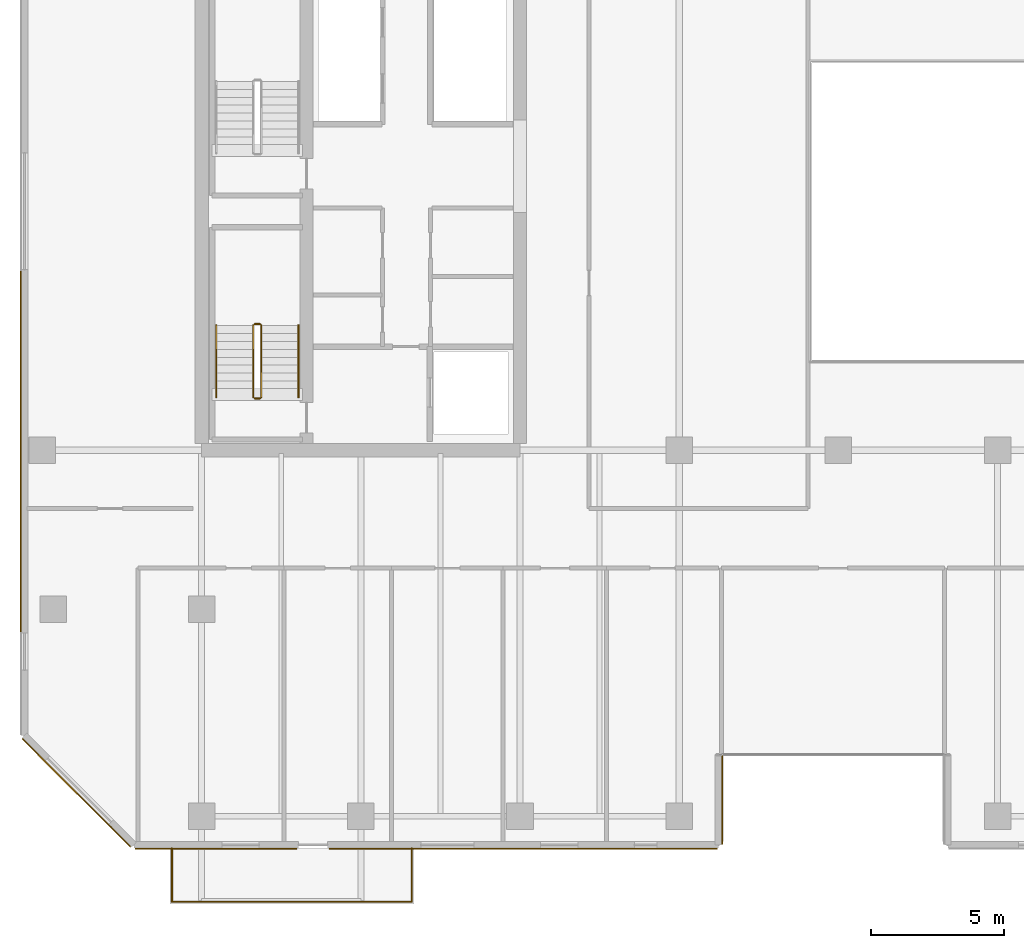
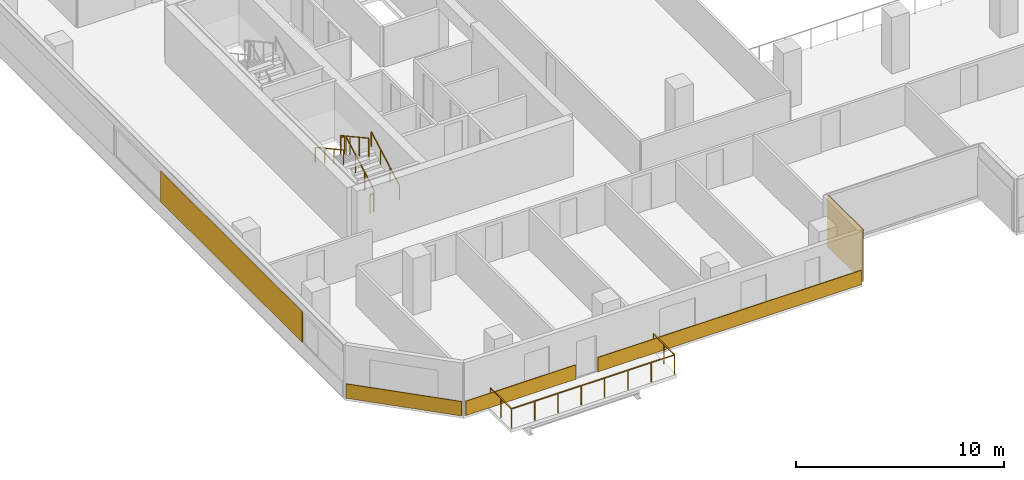
# One storey, part 18 of 23: 7 railings, 5 coverings.
"""IFC4 building model written with IfcOpenShell, lengths in metres."""

from ifc_helpers import new_model, si_unit, direction, frame, origin, origin_2d, place, context, subcontext, project, spatial, rectangle, extrude, material, layer, layer_set, type_object, element, save


model = new_model("IFC4")

# Units and contexts
model_context = context("Model", 3, precision=1e-05, world=origin(), true_north=direction((0.0, 1.0)))
body_context = subcontext(model_context, "Body", "Model", "MODEL_VIEW")
ifc_project = project(units=[si_unit("LENGTHUNIT", "METRE"), si_unit("AREAUNIT", "SQUARE_METRE"), si_unit("VOLUMEUNIT", "CUBIC_METRE"), si_unit("PLANEANGLEUNIT", "RADIAN"), si_unit("MASSUNIT", "GRAM", prefix="KILO")], contexts=[model_context])

# Site, building, storey
site_placement = place(None, origin())
site = spatial("IfcSite", under=ifc_project, at=site_placement, CompositionType="ELEMENT")
building_placement = place(site_placement, origin())
building = spatial("IfcBuilding", under=site, at=building_placement, Name="Tanjung Sevakor Pilgrim Tower", CompositionType="ELEMENT")
storey_placement = place(building_placement, frame((0.0, 0.0, 98.669921875)))
storey = spatial("IfcBuildingStorey", under=building, at=storey_placement, Name="L27", CompositionType="ELEMENT", Elevation=98.669921875)

# Coverings
ifc_material_1 = material(Name="Reconstructed Limestone Cladding", Category="masonry")
ifc_layer = layer(ifc_material_1, 0.044921875)
ifc_layer_set = layer_set([ifc_layer], Name="COV-CLAD-LIMESTONE")
covering_type = type_object("IfcCoveringType", Name="COV-CLAD-LIMESTONE", PredefinedType="CLADDING", material=ifc_layer_set)
covering_1_placement = place(storey_placement, frame((24.541015625, 9.577392578125, 0.01025390625), z_axis=(0.0, 0.0, 1.0), x_axis=(1.0, 0.0, 0.0)))
element("IfcCovering", 1, at=covering_1_placement, inside=storey, type_object=covering_type, Name="L27 Warm Limestone Sill Spandrel EW-L27-MAIN-1-1", PredefinedType="CLADDING", context=body_context, shape_type="SweptSolid", body=[
    extrude(rectangle(XDim=6.09814453125, YDim=0.044921875, at=origin_2d()), origin(), (0.0, 0.0, 1.0), 0.840087890625),
])
covering_2_placement = place(storey_placement, frame((36.12255859375, 9.577392578125, 0.01025390625), z_axis=(0.0, 0.0, 1.0), x_axis=(1.0, 0.0, 0.0)))
element("IfcCovering", 2, at=covering_2_placement, inside=storey, type_object=covering_type, Name="L27 Warm Limestone Sill Spandrel EW-L27-MAIN-1-2", PredefinedType="CLADDING", context=body_context, shape_type="SweptSolid", body=[
    extrude(rectangle(XDim=14.625, YDim=0.044921875, at=origin_2d()), origin(), (0.0, 0.0, 1.0), 0.840087890625),
])
covering_3_placement = place(storey_placement, frame((43.62255859375, 11.425048828125, 0.02001953125), z_axis=(0.0, 0.0, 1.0), x_axis=(0.0, 1.0, 0.0)))
element("IfcCovering", 3, at=covering_3_placement, inside=storey, type_object=covering_type, Name="L27 Warm Limestone Wall Cladding EW-L27-MAIN-2", PredefinedType="CLADDING", context=body_context, shape_type="SweptSolid", body=[
    extrude(rectangle(XDim=3.360107421875, YDim=0.044921875, at=origin_2d()), origin(), (0.0, 0.0, 1.0), 3.0400390625),
])
covering_4_placement = place(storey_placement, frame((17.177490234375, 24.552978515625, 0.85009765625), z_axis=(0.0, 0.0, 1.0), x_axis=(0.0, -1.0, 0.0)))
element("IfcCovering", 4, at=covering_4_placement, inside=storey, type_object=covering_type, Name="L27 Warm Limestone Pier Panel EW-L27-MAIN-15-2", PredefinedType="CLADDING", context=body_context, shape_type="SweptSolid", body=[
    extrude(rectangle(XDim=13.593994140625, YDim=0.044921875, at=origin_2d()), origin(), (0.0, 0.0, 1.0), 1.81005859375),
])
covering_5_placement = place(storey_placement, frame((19.2841796875, 11.68408203125, 0.01025390625), z_axis=(0.0, 0.0, 1.0), x_axis=(0.707106781187, -0.707106781187, 0.0)))
element("IfcCovering", 5, at=covering_5_placement, inside=storey, type_object=covering_type, Name="L27 Warm Limestone Sill Spandrel EW-CHM-L27-MAIN-15-1", PredefinedType="CLADDING", context=body_context, shape_type="SweptSolid", body=[
    extrude(rectangle(XDim=5.756103515625, YDim=0.044921875, at=origin_2d()), origin(), (0.0, 0.0, 1.0), 0.840087890625),
])

# Railings
ifc_material_2 = material(Name="Laminated Glass and Aluminium", Category="aluminium")
railing_type_1 = type_object("IfcRailingType", Name="RL-BAL-BALUST", PredefinedType="BALUSTRADE", material=ifc_material_2)
railing_1_placement = place(storey_placement, frame((22.8798828125, 9.60009765625, 0.0)))
element("IfcRailing", 6, at=railing_1_placement, inside=storey, type_object=railing_type_1, Name="L27 Loggia Balustrade MAIN-S1", PredefinedType="BALUSTRADE", context=body_context, shape_type="SweptSolid", body=[
    extrude(rectangle(XDim=0.0479, YDim=0.0479), frame((0.0, 0.0, 1.1259765625), z_axis=(0.0, -1.0, 0.0), x_axis=(1.0, 0.0, 0.0)), (0.0, 0.0, 1.0), 2.02001953125),
    extrude(rectangle(XDim=0.0479, YDim=0.0479), frame((0.0, -2.02001953125, 1.1259765625), z_axis=(1.0, 0.0, 0.0), x_axis=(0.0, 1.0, 0.0)), (0.0, 0.0, 1.0), 9.0400390625),
    extrude(rectangle(XDim=0.0479, YDim=0.0479), frame((9.0400390625, -2.02001953125, 1.1259765625), z_axis=(0.0, 1.0, 0.0), x_axis=(-1.0, 0.0, 0.0)), (0.0, 0.0, 1.0), 2.02001953125),
    extrude(rectangle(XDim=0.042, YDim=0.042), origin(), (0.0, 0.0, 1.0), 1.101806640625),
    extrude(rectangle(XDim=0.042, YDim=0.042), frame((0.0, -1.010009765625, 0.0)), (0.0, 0.0, 1.0), 1.101806640625),
    extrude(rectangle(XDim=0.042, YDim=0.042), frame((0.0, -2.02001953125, 0.0)), (0.0, 0.0, 1.0), 1.101806640625),
    extrude(rectangle(XDim=0.042, YDim=0.042), frame((1.29150390625, -2.02001953125, 0.0)), (0.0, 0.0, 1.0), 1.101806640625),
    extrude(rectangle(XDim=0.042, YDim=0.042), frame((2.582763671875, -2.02001953125, 0.0)), (0.0, 0.0, 1.0), 1.101806640625),
    extrude(rectangle(XDim=0.042, YDim=0.042), frame((3.874267578125, -2.02001953125, 0.0)), (0.0, 0.0, 1.0), 1.101806640625),
    extrude(rectangle(XDim=0.042, YDim=0.042), frame((5.165771484375, -2.02001953125, 0.0)), (0.0, 0.0, 1.0), 1.101806640625),
    extrude(rectangle(XDim=0.042, YDim=0.042), frame((6.457275390625, -2.02001953125, 0.0)), (0.0, 0.0, 1.0), 1.101806640625),
    extrude(rectangle(XDim=0.042, YDim=0.042), frame((7.74853515625, -2.02001953125, 0.0)), (0.0, 0.0, 1.0), 1.101806640625),
    extrude(rectangle(XDim=0.042, YDim=0.042), frame((9.0400390625, -2.02001953125, 0.0)), (0.0, 0.0, 1.0), 1.101806640625),
    extrude(rectangle(XDim=0.042, YDim=0.042), frame((9.0400390625, -1.010009765625, 0.0)), (0.0, 0.0, 1.0), 1.101806640625),
    extrude(rectangle(XDim=0.042, YDim=0.042), frame((9.0400390625, 0.0, 0.0)), (0.0, 0.0, 1.0), 1.101806640625),
])
ifc_material_3 = material(Name="Steel S355J2", Category="steel")
railing_type_2 = type_object("IfcRailingType", Name="RL-STAIR-GUARD", PredefinedType="GUARDRAIL", material=ifc_material_3)
railing_2_placement = place(storey_placement, frame((26.25, 26.60009765625, 0.1650390625)))
element("IfcRailing", 7, at=railing_2_placement, inside=storey, type_object=railing_type_2, Name="L27 TS-W1 stair guard 1", PredefinedType="GUARDRAIL", context=body_context, shape_type="SweptSolid", body=[
    extrude(rectangle(XDim=0.0479, YDim=0.0479), frame((0.0, 0.0, 1.076171875), z_axis=(0.0, 0.876197507361, 0.481952205197), x_axis=(-1.0, 0.0, 0.0)), (0.0, 0.0, 1.0), 3.08154296875),
    extrude(rectangle(XDim=0.042, YDim=0.042), origin(), (0.0, 0.0, 1.0), 1.052001953125),
    extrude(rectangle(XDim=0.042, YDim=0.042), frame((0.0, 0.89990234375, 0.4951171875)), (0.0, 0.0, 1.0), 1.052001953125),
    extrude(rectangle(XDim=0.042, YDim=0.042), frame((0.0, 1.800048828125, 0.989990234375)), (0.0, 0.0, 1.0), 1.052001953125),
    extrude(rectangle(XDim=0.042, YDim=0.042), frame((0.0, 2.699951171875, 1.485107421875)), (0.0, 0.0, 1.0), 1.052001953125),
])
railing_3_placement = place(storey_placement, frame((26.199951171875, 29.35009765625, 1.650146484375)))
element("IfcRailing", 8, at=railing_3_placement, inside=storey, type_object=railing_type_2, Name="L27 TS-W1 stair guard 2", PredefinedType="GUARDRAIL", context=body_context, shape_type="SweptSolid", body=[
    extrude(rectangle(XDim=0.0479, YDim=0.0479), frame((0.0, 0.0, 1.076171875), z_axis=(-1.0, 0.0, 0.0), x_axis=(0.0, -1.0, 0.0)), (0.0, 0.0, 1.0), 0.199951171875),
    extrude(rectangle(XDim=0.042, YDim=0.042), origin(), (0.0, 0.0, 1.0), 1.052001953125),
    extrude(rectangle(XDim=0.042, YDim=0.042), frame((-0.199951171875, 0.0, 0.0)), (0.0, 0.0, 1.0), 1.052001953125),
])
railing_4_placement = place(storey_placement, frame((25.949951171875, 29.300048828125, 1.815185546875)))
element("IfcRailing", 9, at=railing_4_placement, inside=storey, type_object=railing_type_2, Name="L27 TS-W1 stair guard 3", PredefinedType="GUARDRAIL", context=body_context, shape_type="SweptSolid", body=[
    extrude(rectangle(XDim=0.0479, YDim=0.0479), frame((0.0, 0.0, 1.076171875), z_axis=(0.0, -0.876230963923, 0.481891375584), x_axis=(1.0, 0.0, 0.0)), (0.0, 0.0, 1.0), 3.081298828125),
    extrude(rectangle(XDim=0.042, YDim=0.042), origin(), (0.0, 0.0, 1.0), 1.052001953125),
    extrude(rectangle(XDim=0.042, YDim=0.042), frame((0.0, -0.89990234375, 0.494873046875)), (0.0, 0.0, 1.0), 1.052001953125),
    extrude(rectangle(XDim=0.042, YDim=0.042), frame((0.0, -1.800048828125, 0.989990234375)), (0.0, 0.0, 1.0), 1.052001953125),
    extrude(rectangle(XDim=0.042, YDim=0.042), frame((0.0, -2.699951171875, 1.48486328125)), (0.0, 0.0, 1.0), 1.052001953125),
])
railing_5_placement = place(storey_placement, frame((26.199951171875, 26.550048828125, 0.0)))
element("IfcRailing", 10, at=railing_5_placement, inside=storey, type_object=railing_type_2, Name="L27 TS-W1 stair guard 4", PredefinedType="GUARDRAIL", context=body_context, shape_type="SweptSolid", body=[
    extrude(rectangle(XDim=0.0479, YDim=0.0479), frame((0.0, 0.0, 1.076171875), z_axis=(-1.0, 0.0, 0.0), x_axis=(0.0, -1.0, 0.0)), (0.0, 0.0, 1.0), 0.199951171875),
    extrude(rectangle(XDim=0.042, YDim=0.042), origin(), (0.0, 0.0, 1.0), 1.052001953125),
    extrude(rectangle(XDim=0.042, YDim=0.042), frame((-0.199951171875, 0.0, 0.0)), (0.0, 0.0, 1.0), 1.052001953125),
])
ifc_material_4 = material(Name="Steel S355J2", Category="steel")
railing_type_3 = type_object("IfcRailingType", Name="RL-STAIR-HAND", PredefinedType="HANDRAIL", material=ifc_material_4)
railing_6_placement = place(storey_placement, frame((27.64990234375, 26.60009765625, 0.1650390625)))
element("IfcRailing", 11, at=railing_6_placement, inside=storey, type_object=railing_type_3, Name="L27 TS-W1 stair handrail 1", PredefinedType="HANDRAIL", context=body_context, shape_type="SweptSolid", body=[
    extrude(rectangle(XDim=0.0479, YDim=0.0479), frame((0.0, 0.0, 0.8759765625), z_axis=(0.0, 0.876197507361, 0.481952205197), x_axis=(-1.0, 0.0, 0.0)), (0.0, 0.0, 1.0), 3.08154296875),
    extrude(rectangle(XDim=0.042, YDim=0.042), origin(), (0.0, 0.0, 1.0), 0.851806640625),
    extrude(rectangle(XDim=0.042, YDim=0.042), frame((0.0, 0.89990234375, 0.4951171875)), (0.0, 0.0, 1.0), 0.851806640625),
    extrude(rectangle(XDim=0.042, YDim=0.042), frame((0.0, 1.800048828125, 0.989990234375)), (0.0, 0.0, 1.0), 0.851806640625),
    extrude(rectangle(XDim=0.042, YDim=0.042), frame((0.0, 2.699951171875, 1.485107421875)), (0.0, 0.0, 1.0), 0.851806640625),
])
railing_7_placement = place(storey_placement, frame((24.550048828125, 29.300048828125, 1.815185546875)))
element("IfcRailing", 12, at=railing_7_placement, inside=storey, type_object=railing_type_3, Name="L27 TS-W1 stair handrail 2", PredefinedType="HANDRAIL", context=body_context, shape_type="SweptSolid", body=[
    extrude(rectangle(XDim=0.0479, YDim=0.0479), frame((0.0, 0.0, 0.8759765625), z_axis=(0.0, -0.876230963923, 0.481891375584), x_axis=(1.0, 0.0, 0.0)), (0.0, 0.0, 1.0), 3.081298828125),
    extrude(rectangle(XDim=0.042, YDim=0.042), origin(), (0.0, 0.0, 1.0), 0.851806640625),
    extrude(rectangle(XDim=0.042, YDim=0.042), frame((0.0, -0.89990234375, 0.494873046875)), (0.0, 0.0, 1.0), 0.851806640625),
    extrude(rectangle(XDim=0.042, YDim=0.042), frame((0.0, -1.800048828125, 0.989990234375)), (0.0, 0.0, 1.0), 0.851806640625),
    extrude(rectangle(XDim=0.042, YDim=0.042), frame((0.0, -2.699951171875, 1.48486328125)), (0.0, 0.0, 1.0), 0.851806640625),
])

save(model, "model.ifc")
